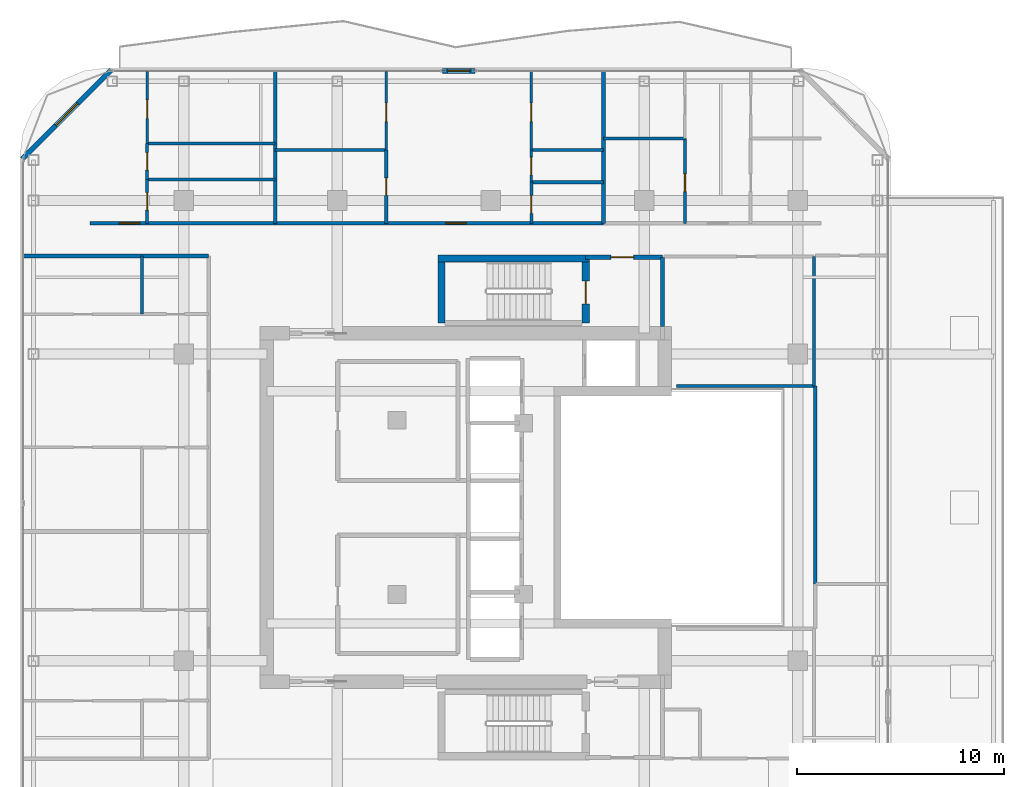
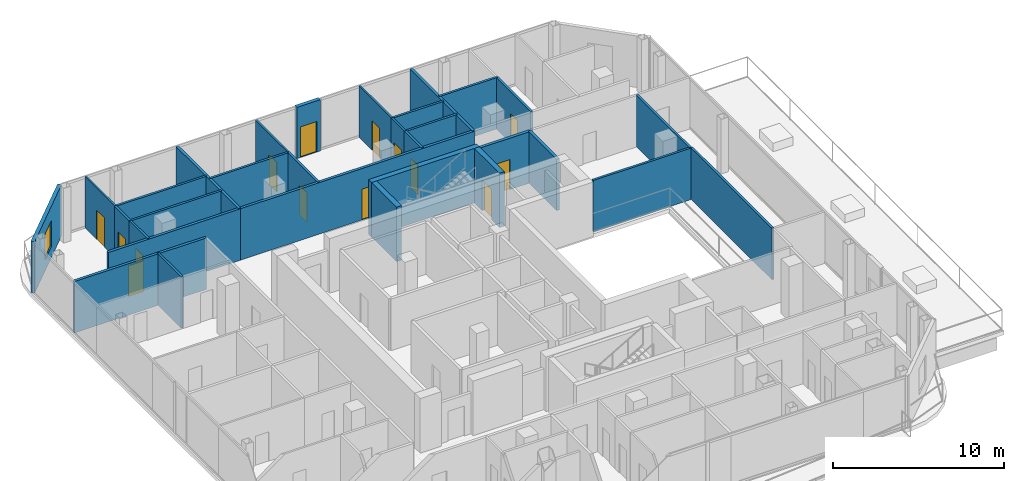
# One storey, part 20 of 24: 31 walls, 14 doors, 1 window, 15 openings.
"""IFC4 building model written with IfcOpenShell, lengths in metres."""

from ifc_helpers import new_model, si_unit, direction, frame, frame_2d, origin, place, context, subcontext, project, spatial, rectangle, extrude, material, layer, layer_set, type_object, element, fill, save


model = new_model("IFC4")

# Units and contexts
model_context = context("Model", 3, precision=1e-05, world=origin(), true_north=direction((0.0, 1.0)))
body_context = subcontext(model_context, "Body", "Model", "MODEL_VIEW")
ifc_project = project(units=[si_unit("LENGTHUNIT", "METRE"), si_unit("AREAUNIT", "SQUARE_METRE"), si_unit("VOLUMEUNIT", "CUBIC_METRE"), si_unit("PLANEANGLEUNIT", "RADIAN"), si_unit("MASSUNIT", "GRAM", prefix="KILO")], contexts=[model_context])

# Site, building, storey
site_placement = place(None, origin())
site = spatial("IfcSite", under=ifc_project, at=site_placement, CompositionType="ELEMENT")
building_placement = place(site_placement, origin())
building = spatial("IfcBuilding", under=site, at=building_placement, Name="Khorvyn Point Tower", CompositionType="ELEMENT")
storey_placement = place(building_placement, frame((0.0, 0.0, 285.89990234375)))
storey = spatial("IfcBuildingStorey", under=building, at=storey_placement, Name="L70", CompositionType="ELEMENT", Elevation=285.89990234375)

# Wall, opening, door
ifc_material_1 = material(Name="Double acoustic gypsum on twin steel stud", Category="steel")
ifc_layer_1 = layer(ifc_material_1, 0.179931640625)
ifc_layer_set_1 = layer_set([ifc_layer_1], Name="Acoustic Double-Stud Apartment Demising Wall 180")
wall_type_1 = type_object("IfcWallType", Name="Acoustic Double-Stud Apartment Demising Wall 180", PredefinedType="PARTITIONING", material=ifc_layer_set_1)
wall_1_placement = place(storey_placement, frame((-19.320068359375, 13.699951171875, 0.0), z_axis=(0.0, 0.0, 1.0), x_axis=(1.0, 0.0, 0.0)))
wall_1 = element("IfcWall", 1, at=wall_1_placement, inside=storey, type_object=wall_type_1, Name="Wall", PredefinedType="PARTITIONING", context=body_context, shape_type="SweptSolid", body=[
    extrude(rectangle(XDim=8.927001953125, YDim=0.179931640625, at=frame_2d((4.46337890625, 0.0))), origin(), (0.0, 0.0, 1.0), 3.68017578125),
])
opening_1_placement = place(wall_1_placement, frame((1.398193359375, 0.0, 0.0)))
opening_1 = element("IfcOpeningElement", 2, at=opening_1_placement, cuts=wall_1, Name="Opening ID-AP60", PredefinedType="OPENING", context=body_context, shape_type="SweptSolid", body=[
    extrude(rectangle(XDim=1.0, YDim=2.199951171875, at=frame_2d((0.5, 1.10009765625))), frame((0.0, 0.099853515625, 0.0), z_axis=(0.0, -1.0, 0.0), x_axis=(1.0, 0.0, 0.0)), (0.0, 0.0, 1.0), 0.199951171875),
])
ifc_material_2 = material(Name="Engineered hardwood fire-rated leaf", Category="wood")
door_type_1 = type_object("IfcDoorType", Name="Acoustic Solid-Core Timber Apartment Entrance Door 1000x2200", OperationType="NOTDEFINED", PredefinedType="DOOR", material=ifc_material_2)
door_1_placement = place(opening_1_placement, origin())
door_1 = element("IfcDoor", 3, at=door_1_placement, inside=storey, type_object=door_type_1, Name="Door", OperationType="SINGLE_SWING_LEFT", OverallHeight=2.199951171875, OverallWidth=1.0, PredefinedType="DOOR", context=body_context, shape_type="SweptSolid", body=[
    extrude(rectangle(XDim=1.0, YDim=2.199951171875, at=frame_2d((0.5, 1.10009765625))), frame((0.0, 0.02490234375, 0.0), z_axis=(0.0, -1.0, 0.0), x_axis=(1.0, 0.0, 0.0)), (0.0, 0.0, 1.0), 0.050048828125),
])
fill(opening_1, door_1)

wall_2_placement = place(storey_placement, frame((-10.39306640625, 13.699951171875, 0.0), z_axis=(0.0, 0.0, 1.0), x_axis=(1.0, 0.0, 0.0)))
wall_2 = element("IfcWall", 4, at=wall_2_placement, inside=storey, type_object=wall_type_1, Name="Wall", PredefinedType="PARTITIONING", context=body_context, shape_type="SweptSolid", body=[
    extrude(rectangle(XDim=15.8349609375, YDim=0.179931640625, at=frame_2d((7.91748046875, 0.0))), origin(), (0.0, 0.0, 1.0), 3.68017578125),
])
opening_2_placement = place(wall_2_placement, frame((8.223876953125, 0.0, 0.0)))
opening_2 = element("IfcOpeningElement", 5, at=opening_2_placement, cuts=wall_2, Name="Opening ID-AP60", PredefinedType="OPENING", context=body_context, shape_type="SweptSolid", body=[
    extrude(rectangle(XDim=1.0, YDim=2.199951171875, at=frame_2d((0.5, 1.10009765625))), frame((0.0, 0.099853515625, 0.0), z_axis=(0.0, -1.0, 0.0), x_axis=(1.0, 0.0, 0.0)), (0.0, 0.0, 1.0), 0.199951171875),
])
door_2_placement = place(opening_2_placement, origin())
door_2 = element("IfcDoor", 6, at=door_2_placement, inside=storey, type_object=door_type_1, Name="Door", OperationType="SINGLE_SWING_LEFT", OverallHeight=2.199951171875, OverallWidth=1.0, PredefinedType="DOOR", context=body_context, shape_type="SweptSolid", body=[
    extrude(rectangle(XDim=1.0, YDim=2.199951171875, at=frame_2d((0.5, 1.10009765625))), frame((0.0, 0.02490234375, 0.0), z_axis=(0.0, -1.0, 0.0), x_axis=(1.0, 0.0, 0.0)), (0.0, 0.0, 1.0), 0.050048828125),
])
fill(opening_2, door_2)

# Walls
for number, where, z_axis, x_axis, name in (
    (7, (-10.39306640625, 13.699951171875, 0.0), (0.0, 0.0, 1.0), (0.0, 1.0, 0.0), "Wall"),
    (8, (5.44189453125, 13.699951171875, 0.0), (0.0, 0.0, 1.0), (0.0, 1.0, 0.0), "Wall"),
):
    element("IfcWall", number, at=place(storey_placement, frame(where, z_axis=z_axis, x_axis=x_axis)), inside=storey, type_object=wall_type_1, Name=name, PredefinedType="PARTITIONING", context=body_context, shape_type="SweptSolid", body=[
        extrude(rectangle(XDim=7.330078125, YDim=0.179931640625, at=frame_2d((3.6650390625, 0.0))), origin(), (0.0, 0.0, 1.0), 3.68017578125),
    ])
wall_3_placement = place(storey_placement, frame((-22.530029296875, 12.1201171875, 0.0), z_axis=(0.0, 0.0, 1.0), x_axis=(1.0, 0.0, 0.0)))
element("IfcWall", 9, at=wall_3_placement, inside=storey, type_object=wall_type_1, Name="Wall", PredefinedType="PARTITIONING", context=body_context, shape_type="SweptSolid", body=[
    extrude(rectangle(XDim=8.929931640625, YDim=0.179931640625, at=frame_2d((4.46484375, 0.0))), origin(), (0.0, 0.0, 1.0), 3.68017578125),
])

# Wall, opening, door
ifc_material_3 = material(Name="Pale anodised aluminium rainscreen on steel stud", Category="steel")
ifc_layer_2 = layer(ifc_material_3, 0.239990234375)
ifc_layer_set_2 = layer_set([ifc_layer_2], Name="Anodised Aluminium Insulated Corner Spandrel Wall 240")
wall_type_2 = type_object("IfcWallType", Name="Anodised Aluminium Insulated Corner Spandrel Wall 240", PredefinedType="SOLIDWALL", material=ifc_layer_set_2)
wall_4_placement = place(storey_placement, frame((-2.330078125, 21.050048828125, 0.0), z_axis=(0.0, 0.0, 1.0), x_axis=(1.0, 0.0, 0.0)))
wall_4 = element("IfcWall", 10, at=wall_4_placement, inside=storey, type_object=wall_type_2, Name="L70 North Outdoor Threshold Wall", PredefinedType="SOLIDWALL", context=body_context, shape_type="SweptSolid", body=[
    extrude(rectangle(XDim=1.580078125, YDim=0.239990234375, at=frame_2d((0.7900390625, 0.0))), origin(), (0.0, 0.0, 1.0), 3.68017578125),
])
opening_3_placement = place(wall_4_placement, frame((0.239990234375, 0.0, 0.0)))
opening_3 = element("IfcOpeningElement", 11, at=opening_3_placement, cuts=wall_4, Name="Opening BD-1122", PredefinedType="OPENING", context=body_context, shape_type="SweptSolid", body=[
    extrude(rectangle(XDim=1.10009765625, YDim=2.199951171875, at=frame_2d((0.550048828125, 1.10009765625))), frame((0.0, 0.1298828125, 0.0), z_axis=(0.0, -1.0, 0.0), x_axis=(1.0, 0.0, 0.0)), (0.0, 0.0, 1.0), 0.260009765625),
])
ifc_material_4 = material(Name="Anodised aluminium 6063-T6 and laminated Low-E glass", Category="aluminium")
door_type_2 = type_object("IfcDoorType", Name="Glazed Balcony and Terrace Threshold Door 1100x2200", OperationType="NOTDEFINED", PredefinedType="DOOR", material=ifc_material_4)
door_3_placement = place(opening_3_placement, origin())
door_3 = element("IfcDoor", 12, at=door_3_placement, inside=storey, type_object=door_type_2, Name="L70 North Glazed Balcony Outdoor Door", OperationType="SINGLE_SWING_LEFT", OverallHeight=2.199951171875, OverallWidth=1.10009765625, PredefinedType="DOOR", context=body_context, shape_type="SweptSolid", body=[
    extrude(rectangle(XDim=1.10009765625, YDim=2.199951171875, at=frame_2d((0.550048828125, 1.10009765625))), frame((0.0, 0.02490234375, 0.0), z_axis=(0.0, -1.0, 0.0), x_axis=(1.0, 0.0, 0.0)), (0.0, 0.0, 1.0), 0.050048828125),
])
fill(opening_3, door_3)

# Wall, opening, window
wall_5_placement = place(storey_placement, frame((-22.59228515625, 16.8076171875, 0.0), z_axis=(0.0, 0.0, 1.0), x_axis=(0.707106781187, 0.707106781187, 0.0)))
wall_5 = element("IfcWall", 13, at=wall_5_placement, inside=storey, type_object=wall_type_2, Name="L70 Rounded Corner Wall NW", PredefinedType="SOLIDWALL", context=body_context, shape_type="SweptSolid", body=[
    extrude(rectangle(XDim=6.059326171875, YDim=0.239990234375, at=frame_2d((3.02978515625, 0.0))), origin(), (0.0, 0.0, 1.0), 3.68017578125),
])
opening_4_placement = place(wall_5_placement, frame((2.27978515625, 0.0, 0.800048828125)))
opening_4 = element("IfcOpeningElement", 14, at=opening_4_placement, cuts=wall_5, Name="Opening WN-1518", PredefinedType="OPENING", context=body_context, shape_type="SweptSolid", body=[
    extrude(rectangle(XDim=1.5, YDim=1.85009765625, at=frame_2d((0.75, 0.925048828125))), frame((0.0, 0.1298828125, 0.0), z_axis=(0.0, -1.0, 0.0), x_axis=(1.0, 0.0, 0.0)), (0.0, 0.0, 1.0), 0.260009765625),
])
window_type = type_object("IfcWindowType", Name="Anodised Aluminium Rounded-Corner Panoramic Window 1500x1850", PartitioningType="SINGLE_PANEL", PredefinedType="WINDOW", material=ifc_material_4)
window_placement = place(opening_4_placement, origin())
window = element("IfcWindow", 15, at=window_placement, inside=storey, type_object=window_type, Name="L70 Corner Panoramic Window NW", OverallHeight=1.85009765625, OverallWidth=1.5, PartitioningType="SINGLE_PANEL", PredefinedType="WINDOW", context=body_context, shape_type="SweptSolid", body=[
    extrude(rectangle(XDim=1.5, YDim=1.85009765625, at=frame_2d((0.75, 0.925048828125))), frame((0.0, 0.030029296875, 0.0), z_axis=(0.0, -1.0, 0.0), x_axis=(1.0, 0.0, 0.0)), (0.0, 0.0, 1.0), 0.06005859375),
])
fill(opening_4, window)

# Wall, opening, door
ifc_material_5 = material(Name="Concrete C40/50", Category="concrete")
ifc_layer_3 = layer(ifc_material_5, 0.199951171875)
ifc_layer_set_3 = layer_set([ifc_layer_3], Name="Concrete C40/50 Fire-Lobby Compartment Wall 200")
wall_type_3 = type_object("IfcWallType", Name="Concrete C40/50 Fire-Lobby Compartment Wall 200", PredefinedType="SOLIDWALL", material=ifc_layer_set_3)
wall_6_placement = place(storey_placement, frame((4.580078125, 12.06005859375, 0.0), z_axis=(0.0, 0.0, 1.0), x_axis=(1.0, 0.0, 0.0)))
wall_6 = element("IfcWall", 16, at=wall_6_placement, inside=storey, type_object=wall_type_3, Name="Wall", PredefinedType="SOLIDWALL", context=body_context, shape_type="SweptSolid", body=[
    extrude(rectangle(XDim=3.699951171875, YDim=0.199951171875, at=frame_2d((1.85009765625, 0.0))), origin(), (0.0, 0.0, 1.0), 3.68017578125),
])
opening_5_placement = place(wall_6_placement, frame((1.21240234375, 0.0, 0.0)))
opening_5 = element("IfcOpeningElement", 17, at=opening_5_placement, cuts=wall_6, Name="Opening ID-FL90", PredefinedType="OPENING", context=body_context, shape_type="SweptSolid", body=[
    extrude(rectangle(XDim=1.10009765625, YDim=2.14990234375, at=frame_2d((0.550048828125, 1.074951171875))), frame((0.0, 0.10986328125, 0.0), z_axis=(0.0, -1.0, 0.0), x_axis=(1.0, 0.0, 0.0)), (0.0, 0.0, 1.0), 0.219970703125),
])
ifc_material_6 = material(Name="Galvanised powder-coated steel", Category="steel")
door_type_3 = type_object("IfcDoorType", Name="Fire-Rated Steel Lobby and Stair Door 1100x2150", OperationType="NOTDEFINED", PredefinedType="DOOR", material=ifc_material_6)
door_4_placement = place(opening_5_placement, origin())
door_4 = element("IfcDoor", 18, at=door_4_placement, inside=storey, type_object=door_type_3, Name="Door", OperationType="SINGLE_SWING_LEFT", OverallHeight=2.14990234375, OverallWidth=1.10009765625, PredefinedType="DOOR", context=body_context, shape_type="SweptSolid", body=[
    extrude(rectangle(XDim=1.10009765625, YDim=2.14990234375, at=frame_2d((0.550048828125, 1.074951171875))), frame((0.0, 0.02490234375, 0.0), z_axis=(0.0, -1.0, 0.0), x_axis=(1.0, 0.0, 0.0)), (0.0, 0.0, 1.0), 0.050048828125),
])
fill(opening_5, door_4)

# Walls
wall_7_placement = place(storey_placement, frame((8.280029296875, 8.72509765625, 0.0), z_axis=(0.0, 0.0, 1.0), x_axis=(0.0, 1.0, 0.0)))
element("IfcWall", 19, at=wall_7_placement, inside=storey, type_object=wall_type_3, Name="Wall", PredefinedType="SOLIDWALL", context=body_context, shape_type="SweptSolid", body=[
    extrude(rectangle(XDim=3.3349609375, YDim=0.199951171875, at=frame_2d((1.66748046875, 0.0))), origin(), (0.0, 0.0, 1.0), 3.68017578125),
])
ifc_layer_4 = layer(ifc_material_5, 0.35009765625)
ifc_layer_set_4 = layer_set([ifc_layer_4], Name="Concrete C40/50 Stair Shaft Structural Wall 350")
wall_type_4 = type_object("IfcWallType", Name="Concrete C40/50 Stair Shaft Structural Wall 350", PredefinedType="SHEAR", material=ifc_layer_set_4)
wall_8_placement = place(storey_placement, frame((-2.554931640625, 12.0, 0.0), z_axis=(0.0, 0.0, 1.0), x_axis=(1.0, 0.0, 0.0)))
element("IfcWall", 20, at=wall_8_placement, inside=storey, type_object=wall_type_4, Name="L70 ST-02 North Shaft Wall", PredefinedType="SHEAR", context=body_context, shape_type="SweptSolid", body=[
    extrude(rectangle(XDim=7.309814453125, YDim=0.35009765625, at=frame_2d((3.65478515625, 0.0))), origin(), (0.0, 0.0, 1.0), 3.900146484375),
])
wall_9_placement = place(storey_placement, frame((-2.3798828125, 8.89990234375, 0.0), z_axis=(0.0, 0.0, 1.0), x_axis=(0.0, 1.0, 0.0)))
element("IfcWall", 21, at=wall_9_placement, inside=storey, type_object=wall_type_4, Name="L70 ST-02 West Shaft Wall", PredefinedType="SHEAR", context=body_context, shape_type="SweptSolid", body=[
    extrude(rectangle(XDim=2.925048828125, YDim=0.35009765625, at=frame_2d((1.46240234375, 0.0))), origin(), (0.0, 0.0, 1.0), 3.900146484375),
])

# Wall, opening, door
wall_10_placement = place(storey_placement, frame((4.580078125, 11.824951171875, 0.0), z_axis=(0.0, 0.0, 1.0), x_axis=(0.0, -1.0, 0.0)))
wall_10 = element("IfcWall", 22, at=wall_10_placement, inside=storey, type_object=wall_type_4, Name="L70 ST-02 East Landing Door Wall", PredefinedType="SHEAR", context=body_context, shape_type="SweptSolid", body=[
    extrude(rectangle(XDim=2.925048828125, YDim=0.35009765625, at=frame_2d((1.46240234375, 0.0))), origin(), (0.0, 0.0, 1.0), 3.900146484375),
])
opening_6_placement = place(wall_10_placement, frame((0.91259765625, 0.0, 0.0)))
opening_6 = element("IfcOpeningElement", 23, at=opening_6_placement, cuts=wall_10, Name="Opening ID-FL90", PredefinedType="OPENING", context=body_context, shape_type="SweptSolid", body=[
    extrude(rectangle(XDim=1.10009765625, YDim=2.14990234375, at=frame_2d((0.550048828125, 1.074951171875))), frame((0.0, 0.18505859375, 0.0), z_axis=(0.0, -1.0, 0.0), x_axis=(1.0, 0.0, 0.0)), (0.0, 0.0, 1.0), 0.3701171875),
])
door_5_placement = place(opening_6_placement, origin())
door_5 = element("IfcDoor", 24, at=door_5_placement, inside=storey, type_object=door_type_3, Name="L70 ST-02 Smokeproof Landing Door", OperationType="SINGLE_SWING_LEFT", OverallHeight=2.14990234375, OverallWidth=1.10009765625, PredefinedType="DOOR", context=body_context, shape_type="SweptSolid", body=[
    extrude(rectangle(XDim=1.10009765625, YDim=2.14990234375, at=frame_2d((0.550048828125, 1.074951171875))), frame((0.0, 0.02490234375, 0.0), z_axis=(0.0, -1.0, 0.0), x_axis=(1.0, 0.0, 0.0)), (0.0, 0.0, 1.0), 0.050048828125),
])
fill(opening_6, door_5)

ifc_material_7 = material(Name="Gypsum plasterboard on steel stud", Category="steel")
ifc_layer_5 = layer(ifc_material_7, 0.1201171875)
ifc_layer_set_5 = layer_set([ifc_layer_5], Name="Gypsum Acoustic Stud Room Partition Wall 120")
wall_type_5 = type_object("IfcWallType", Name="Gypsum Acoustic Stud Room Partition Wall 120", PredefinedType="PARTITIONING", material=ifc_layer_set_5)
wall_11_placement = place(storey_placement, frame((-16.570068359375, 17.553955078125, 0.0), z_axis=(0.0, 0.0, 1.0), x_axis=(0.0, 1.0, 0.0)))
wall_11 = element("IfcWall", 25, at=wall_11_placement, inside=storey, type_object=wall_type_5, Name="Wall", PredefinedType="PARTITIONING", context=body_context, shape_type="SweptSolid", body=[
    extrude(rectangle(XDim=3.47607421875, YDim=0.1201171875, at=frame_2d((1.738037109375, 0.0))), origin(), (0.0, 0.0, 1.0), 3.68017578125),
])
opening_7_placement = place(wall_11_placement, frame((1.201171875, 0.0, 0.0)))
opening_7 = element("IfcOpeningElement", 26, at=opening_7_placement, cuts=wall_11, Name="Opening ID-RM90", PredefinedType="OPENING", context=body_context, shape_type="SweptSolid", body=[
    extrude(rectangle(XDim=0.89990234375, YDim=2.10009765625, at=frame_2d((0.449951171875, 1.050048828125))), frame((0.0, 0.070068359375, 0.0), z_axis=(0.0, -1.0, 0.0), x_axis=(1.0, 0.0, 0.0)), (0.0, 0.0, 1.0), 0.14013671875),
])
ifc_material_8 = material(Name="Engineered oak veneer timber", Category="wood")
door_type_4 = type_object("IfcDoorType", Name="Flush Engineered Timber Room Door 900x2100", OperationType="NOTDEFINED", PredefinedType="DOOR", material=ifc_material_8)
door_6_placement = place(opening_7_placement, origin())
door_6 = element("IfcDoor", 27, at=door_6_placement, inside=storey, type_object=door_type_4, Name="Door", OperationType="SINGLE_SWING_RIGHT", OverallHeight=2.10009765625, OverallWidth=0.89990234375, PredefinedType="DOOR", context=body_context, shape_type="SweptSolid", body=[
    extrude(rectangle(XDim=0.89990234375, YDim=2.10009765625, at=frame_2d((0.449951171875, 1.050048828125))), frame((0.0, 0.02490234375, 0.0), z_axis=(0.0, -1.0, 0.0), x_axis=(1.0, 0.0, 0.0)), (0.0, 0.0, 1.0), 0.050048828125),
])
fill(opening_7, door_6)

wall_12_placement = place(storey_placement, frame((-5.041015625, 17.238037109375, 0.0), z_axis=(0.0, 0.0, 1.0), x_axis=(0.0, 1.0, 0.0)))
wall_12 = element("IfcWall", 28, at=wall_12_placement, inside=storey, type_object=wall_type_5, Name="Wall", PredefinedType="PARTITIONING", context=body_context, shape_type="SweptSolid", body=[
    extrude(rectangle(XDim=3.7919921875, YDim=0.1201171875, at=frame_2d((1.89599609375, 0.0))), origin(), (0.0, 0.0, 1.0), 3.68017578125),
])
opening_8_placement = place(wall_12_placement, frame((1.3603515625, 0.0, 0.0)))
opening_8 = element("IfcOpeningElement", 29, at=opening_8_placement, cuts=wall_12, Name="Opening ID-RM90", PredefinedType="OPENING", context=body_context, shape_type="SweptSolid", body=[
    extrude(rectangle(XDim=0.89990234375, YDim=2.10009765625, at=frame_2d((0.449951171875, 1.050048828125))), frame((0.0, 0.070068359375, 0.0), z_axis=(0.0, -1.0, 0.0), x_axis=(1.0, 0.0, 0.0)), (0.0, 0.0, 1.0), 0.14013671875),
])
door_7_placement = place(opening_8_placement, origin())
door_7 = element("IfcDoor", 30, at=door_7_placement, inside=storey, type_object=door_type_4, Name="Door", OperationType="SINGLE_SWING_LEFT", OverallHeight=2.10009765625, OverallWidth=0.89990234375, PredefinedType="DOOR", context=body_context, shape_type="SweptSolid", body=[
    extrude(rectangle(XDim=0.89990234375, YDim=2.10009765625, at=frame_2d((0.449951171875, 1.050048828125))), frame((0.0, 0.02490234375, 0.0), z_axis=(0.0, -1.0, 0.0), x_axis=(1.0, 0.0, 0.0)), (0.0, 0.0, 1.0), 0.050048828125),
])
fill(opening_8, door_7)

wall_13_placement = place(storey_placement, frame((1.9599609375, 15.680908203125, 0.0), z_axis=(0.0, 0.0, 1.0), x_axis=(0.0, 1.0, 0.0)))
wall_13 = element("IfcWall", 31, at=wall_13_placement, inside=storey, type_object=wall_type_5, Name="Wall", PredefinedType="PARTITIONING", context=body_context, shape_type="SweptSolid", body=[
    extrude(rectangle(XDim=1.55712890625, YDim=0.1201171875, at=frame_2d((0.778564453125, 0.0))), origin(), (0.0, 0.0, 1.0), 3.68017578125),
])
opening_9_placement = place(wall_13_placement, frame((0.353515625, 0.0, 0.0)))
opening_9 = element("IfcOpeningElement", 32, at=opening_9_placement, cuts=wall_13, Name="Opening ID-WC85", PredefinedType="OPENING", context=body_context, shape_type="SweptSolid", body=[
    extrude(rectangle(XDim=0.85009765625, YDim=2.10009765625, at=frame_2d((0.425048828125, 1.050048828125))), frame((0.0, 0.070068359375, 0.0), z_axis=(0.0, -1.0, 0.0), x_axis=(1.0, 0.0, 0.0)), (0.0, 0.0, 1.0), 0.14013671875),
])
ifc_material_9 = material(Name="High-pressure laminate on moisture-resistant core", Category="wood")
door_type_5 = type_object("IfcDoorType", Name="Moisture-Resistant Accessible Washroom Door 850x2100", OperationType="NOTDEFINED", PredefinedType="DOOR", material=ifc_material_9)
door_8_placement = place(opening_9_placement, origin())
door_8 = element("IfcDoor", 33, at=door_8_placement, inside=storey, type_object=door_type_5, Name="Door", OperationType="SINGLE_SWING_LEFT", OverallHeight=2.10009765625, OverallWidth=0.85009765625, PredefinedType="DOOR", context=body_context, shape_type="SweptSolid", body=[
    extrude(rectangle(XDim=0.85009765625, YDim=2.10009765625, at=frame_2d((0.425048828125, 1.050048828125))), frame((0.0, 0.02490234375, 0.0), z_axis=(0.0, -1.0, 0.0), x_axis=(1.0, 0.0, 0.0)), (0.0, 0.0, 1.0), 0.050048828125),
])
fill(opening_9, door_8)

wall_14_placement = place(storey_placement, frame((1.9599609375, 17.238037109375, 0.0), z_axis=(0.0, 0.0, 1.0), x_axis=(0.0, 1.0, 0.0)))
wall_14 = element("IfcWall", 34, at=wall_14_placement, inside=storey, type_object=wall_type_5, Name="Wall", PredefinedType="PARTITIONING", context=body_context, shape_type="SweptSolid", body=[
    extrude(rectangle(XDim=3.7919921875, YDim=0.1201171875, at=frame_2d((1.89599609375, 0.0))), origin(), (0.0, 0.0, 1.0), 3.68017578125),
])
opening_10_placement = place(wall_14_placement, frame((1.3603515625, 0.0, 0.0)))
opening_10 = element("IfcOpeningElement", 35, at=opening_10_placement, cuts=wall_14, Name="Opening ID-RM90", PredefinedType="OPENING", context=body_context, shape_type="SweptSolid", body=[
    extrude(rectangle(XDim=0.89990234375, YDim=2.10009765625, at=frame_2d((0.449951171875, 1.050048828125))), frame((0.0, 0.070068359375, 0.0), z_axis=(0.0, -1.0, 0.0), x_axis=(1.0, 0.0, 0.0)), (0.0, 0.0, 1.0), 0.14013671875),
])
door_9_placement = place(opening_10_placement, origin())
door_9 = element("IfcDoor", 36, at=door_9_placement, inside=storey, type_object=door_type_4, Name="Door", OperationType="SINGLE_SWING_RIGHT", OverallHeight=2.10009765625, OverallWidth=0.89990234375, PredefinedType="DOOR", context=body_context, shape_type="SweptSolid", body=[
    extrude(rectangle(XDim=0.89990234375, YDim=2.10009765625, at=frame_2d((0.449951171875, 1.050048828125))), frame((0.0, 0.02490234375, 0.0), z_axis=(0.0, -1.0, 0.0), x_axis=(1.0, 0.0, 0.0)), (0.0, 0.0, 1.0), 0.050048828125),
])
fill(opening_10, door_9)

ifc_material_10 = material(Name="Moisture-resistant gypsum and cement board", Category="gypsum")
ifc_layer_6 = layer(ifc_material_10, 0.14990234375)
ifc_layer_set_6 = layer_set([ifc_layer_6], Name="Moisture-Resistant Wet-Room Partition Wall 150")
wall_type_6 = type_object("IfcWallType", Name="Moisture-Resistant Wet-Room Partition Wall 150", PredefinedType="PARTITIONING", material=ifc_layer_set_6)
wall_15_placement = place(storey_placement, frame((-16.570068359375, 13.699951171875, 0.0), z_axis=(0.0, 0.0, 1.0), x_axis=(0.0, 1.0, 0.0)))
wall_15 = element("IfcWall", 37, at=wall_15_placement, inside=storey, type_object=wall_type_6, Name="Wall", PredefinedType="PARTITIONING", context=body_context, shape_type="SweptSolid", body=[
    extrude(rectangle(XDim=2.1201171875, YDim=0.14990234375, at=frame_2d((1.06005859375, 0.0))), origin(), (0.0, 0.0, 1.0), 3.68017578125),
])
opening_11_placement = place(wall_15_placement, frame((0.635009765625, 0.0, 0.0)))
opening_11 = element("IfcOpeningElement", 38, at=opening_11_placement, cuts=wall_15, Name="Opening ID-WC85", PredefinedType="OPENING", context=body_context, shape_type="SweptSolid", body=[
    extrude(rectangle(XDim=0.85009765625, YDim=2.10009765625, at=frame_2d((0.425048828125, 1.050048828125))), frame((0.0, 0.0849609375, 0.0), z_axis=(0.0, -1.0, 0.0), x_axis=(1.0, 0.0, 0.0)), (0.0, 0.0, 1.0), 0.169921875),
])
door_10_placement = place(opening_11_placement, origin())
door_10 = element("IfcDoor", 39, at=door_10_placement, inside=storey, type_object=door_type_5, Name="Door", OperationType="SINGLE_SWING_RIGHT", OverallHeight=2.10009765625, OverallWidth=0.85009765625, PredefinedType="DOOR", context=body_context, shape_type="SweptSolid", body=[
    extrude(rectangle(XDim=0.85009765625, YDim=2.10009765625, at=frame_2d((0.425048828125, 1.050048828125))), frame((0.0, 0.02490234375, 0.0), z_axis=(0.0, -1.0, 0.0), x_axis=(1.0, 0.0, 0.0)), (0.0, 0.0, 1.0), 0.050048828125),
])
fill(opening_11, door_10)

wall_16_placement = place(storey_placement, frame((-16.570068359375, 15.820068359375, 0.0), z_axis=(0.0, 0.0, 1.0), x_axis=(0.0, 1.0, 0.0)))
wall_16 = element("IfcWall", 40, at=wall_16_placement, inside=storey, type_object=wall_type_6, Name="Wall", PredefinedType="PARTITIONING", context=body_context, shape_type="SweptSolid", body=[
    extrude(rectangle(XDim=1.73388671875, YDim=0.14990234375, at=frame_2d((0.866943359375, 0.0))), origin(), (0.0, 0.0, 1.0), 3.68017578125),
])
opening_12_placement = place(wall_16_placement, frame((0.44189453125, 0.0, 0.0)))
opening_12 = element("IfcOpeningElement", 41, at=opening_12_placement, cuts=wall_16, Name="Opening ID-WC85", PredefinedType="OPENING", context=body_context, shape_type="SweptSolid", body=[
    extrude(rectangle(XDim=0.85009765625, YDim=2.10009765625, at=frame_2d((0.425048828125, 1.050048828125))), frame((0.0, 0.0849609375, 0.0), z_axis=(0.0, -1.0, 0.0), x_axis=(1.0, 0.0, 0.0)), (0.0, 0.0, 1.0), 0.169921875),
])
door_11_placement = place(opening_12_placement, origin())
door_11 = element("IfcDoor", 42, at=door_11_placement, inside=storey, type_object=door_type_5, Name="Door", OperationType="SINGLE_SWING_LEFT", OverallHeight=2.10009765625, OverallWidth=0.85009765625, PredefinedType="DOOR", context=body_context, shape_type="SweptSolid", body=[
    extrude(rectangle(XDim=0.85009765625, YDim=2.10009765625, at=frame_2d((0.425048828125, 1.050048828125))), frame((0.0, 0.02490234375, 0.0), z_axis=(0.0, -1.0, 0.0), x_axis=(1.0, 0.0, 0.0)), (0.0, 0.0, 1.0), 0.050048828125),
])
fill(opening_12, door_11)

wall_17_placement = place(storey_placement, frame((-5.041015625, 13.699951171875, 0.0), z_axis=(0.0, 0.0, 1.0), x_axis=(0.0, 1.0, 0.0)))
wall_17 = element("IfcWall", 43, at=wall_17_placement, inside=storey, type_object=wall_type_6, Name="Wall", PredefinedType="PARTITIONING", context=body_context, shape_type="SweptSolid", body=[
    extrude(rectangle(XDim=3.5380859375, YDim=0.14990234375, at=frame_2d((1.76904296875, 0.0))), origin(), (0.0, 0.0, 1.0), 3.68017578125),
])
opening_13_placement = place(wall_17_placement, frame((1.343994140625, 0.0, 0.0)))
opening_13 = element("IfcOpeningElement", 44, at=opening_13_placement, cuts=wall_17, Name="Opening ID-WC85", PredefinedType="OPENING", context=body_context, shape_type="SweptSolid", body=[
    extrude(rectangle(XDim=0.85009765625, YDim=2.10009765625, at=frame_2d((0.425048828125, 1.050048828125))), frame((0.0, 0.0849609375, 0.0), z_axis=(0.0, -1.0, 0.0), x_axis=(1.0, 0.0, 0.0)), (0.0, 0.0, 1.0), 0.169921875),
])
door_12_placement = place(opening_13_placement, origin())
door_12 = element("IfcDoor", 45, at=door_12_placement, inside=storey, type_object=door_type_5, Name="Door", OperationType="SINGLE_SWING_RIGHT", OverallHeight=2.10009765625, OverallWidth=0.85009765625, PredefinedType="DOOR", context=body_context, shape_type="SweptSolid", body=[
    extrude(rectangle(XDim=0.85009765625, YDim=2.10009765625, at=frame_2d((0.425048828125, 1.050048828125))), frame((0.0, 0.02490234375, 0.0), z_axis=(0.0, -1.0, 0.0), x_axis=(1.0, 0.0, 0.0)), (0.0, 0.0, 1.0), 0.050048828125),
])
fill(opening_13, door_12)

wall_18_placement = place(storey_placement, frame((1.9599609375, 13.699951171875, 0.0), z_axis=(0.0, 0.0, 1.0), x_axis=(0.0, 1.0, 0.0)))
wall_18 = element("IfcWall", 46, at=wall_18_placement, inside=storey, type_object=wall_type_6, Name="Wall", PredefinedType="PARTITIONING", context=body_context, shape_type="SweptSolid", body=[
    extrude(rectangle(XDim=1.98095703125, YDim=0.14990234375, at=frame_2d((0.990478515625, 0.0))), origin(), (0.0, 0.0, 1.0), 3.68017578125),
])
opening_14_placement = place(wall_18_placement, frame((0.484375, 0.0, 0.0)))
opening_14 = element("IfcOpeningElement", 47, at=opening_14_placement, cuts=wall_18, Name="Opening ID-WC85", PredefinedType="OPENING", context=body_context, shape_type="SweptSolid", body=[
    extrude(rectangle(XDim=0.85009765625, YDim=2.10009765625, at=frame_2d((0.425048828125, 1.050048828125))), frame((0.0, 0.0849609375, 0.0), z_axis=(0.0, -1.0, 0.0), x_axis=(1.0, 0.0, 0.0)), (0.0, 0.0, 1.0), 0.169921875),
])
door_13_placement = place(opening_14_placement, origin())
door_13 = element("IfcDoor", 48, at=door_13_placement, inside=storey, type_object=door_type_5, Name="Door", OperationType="SINGLE_SWING_RIGHT", OverallHeight=2.10009765625, OverallWidth=0.85009765625, PredefinedType="DOOR", context=body_context, shape_type="SweptSolid", body=[
    extrude(rectangle(XDim=0.85009765625, YDim=2.10009765625, at=frame_2d((0.425048828125, 1.050048828125))), frame((0.0, 0.02490234375, 0.0), z_axis=(0.0, -1.0, 0.0), x_axis=(1.0, 0.0, 0.0)), (0.0, 0.0, 1.0), 0.050048828125),
])
fill(opening_14, door_13)

wall_19_placement = place(storey_placement, frame((9.366943359375, 13.699951171875, 0.0), z_axis=(0.0, 0.0, 1.0), x_axis=(0.0, 1.0, 0.0)))
wall_19 = element("IfcWall", 49, at=wall_19_placement, inside=storey, type_object=wall_type_6, Name="Wall", PredefinedType="PARTITIONING", context=body_context, shape_type="SweptSolid", body=[
    extrude(rectangle(XDim=4.0810546875, YDim=0.14990234375, at=frame_2d((2.04052734375, 0.0))), origin(), (0.0, 0.0, 1.0), 3.68017578125),
])
opening_15_placement = place(wall_19_placement, frame((1.52978515625, 0.0, 0.0)))
opening_15 = element("IfcOpeningElement", 50, at=opening_15_placement, cuts=wall_19, Name="Opening ID-WC85", PredefinedType="OPENING", context=body_context, shape_type="SweptSolid", body=[
    extrude(rectangle(XDim=0.85009765625, YDim=2.10009765625, at=frame_2d((0.425048828125, 1.050048828125))), frame((0.0, 0.0849609375, 0.0), z_axis=(0.0, -1.0, 0.0), x_axis=(1.0, 0.0, 0.0)), (0.0, 0.0, 1.0), 0.169921875),
])
door_14_placement = place(opening_15_placement, origin())
door_14 = element("IfcDoor", 51, at=door_14_placement, inside=storey, type_object=door_type_5, Name="Door", OperationType="SINGLE_SWING_RIGHT", OverallHeight=2.10009765625, OverallWidth=0.85009765625, PredefinedType="DOOR", context=body_context, shape_type="SweptSolid", body=[
    extrude(rectangle(XDim=0.85009765625, YDim=2.10009765625, at=frame_2d((0.425048828125, 1.050048828125))), frame((0.0, 0.02490234375, 0.0), z_axis=(0.0, -1.0, 0.0), x_axis=(1.0, 0.0, 0.0)), (0.0, 0.0, 1.0), 0.050048828125),
])
fill(opening_15, door_14)

# Walls
wall_20_placement = place(storey_placement, frame((15.580078125, 5.85009765625, 0.0), z_axis=(0.0, 0.0, 1.0), x_axis=(0.0, 1.0, 0.0)))
element("IfcWall", 52, at=wall_20_placement, inside=storey, type_object=wall_type_6, Name="Wall", PredefinedType="PARTITIONING", context=body_context, shape_type="SweptSolid", body=[
    extrude(rectangle(XDim=6.25, YDim=0.14990234375, at=frame_2d((3.125, 0.0))), origin(), (0.0, 0.0, 1.0), 3.68017578125),
])
wall_21_placement = place(storey_placement, frame((8.9599609375, 5.85009765625, 0.0), z_axis=(0.0, 0.0, 1.0), x_axis=(1.0, 0.0, 0.0)))
element("IfcWall", 53, at=wall_21_placement, inside=storey, type_object=wall_type_6, Name="Wall", PredefinedType="PARTITIONING", context=body_context, shape_type="SweptSolid", body=[
    extrude(rectangle(XDim=6.6201171875, YDim=0.14990234375, at=frame_2d((3.31005859375, 0.0))), origin(), (0.0, 0.0, 1.0), 3.68017578125),
])
for number, where, z_axis, x_axis, name in (
    (54, (-16.570068359375, 15.820068359375, 0.0), (0.0, 0.0, 1.0), (1.0, 0.0, 0.0), "Wall"),
    (55, (-16.570068359375, 17.553955078125, 0.0), (0.0, 0.0, 1.0), (1.0, 0.0, 0.0), "Wall"),
):
    element("IfcWall", number, at=place(storey_placement, frame(where, z_axis=z_axis, x_axis=x_axis)), inside=storey, type_object=wall_type_6, Name=name, PredefinedType="PARTITIONING", context=body_context, shape_type="SweptSolid", body=[
        extrude(rectangle(XDim=6.177001953125, YDim=0.14990234375, at=frame_2d((3.08837890625, 0.0))), origin(), (0.0, 0.0, 1.0), 3.68017578125),
    ])
wall_22_placement = place(storey_placement, frame((-10.39306640625, 17.238037109375, 0.0), z_axis=(0.0, 0.0, 1.0), x_axis=(1.0, 0.0, 0.0)))
element("IfcWall", 56, at=wall_22_placement, inside=storey, type_object=wall_type_6, Name="Wall", PredefinedType="PARTITIONING", context=body_context, shape_type="SweptSolid", body=[
    extrude(rectangle(XDim=5.35205078125, YDim=0.14990234375, at=frame_2d((2.676025390625, 0.0))), origin(), (0.0, 0.0, 1.0), 3.68017578125),
])
for number, where, z_axis, x_axis, name in (
    (57, (1.9599609375, 15.680908203125, 0.0), (0.0, 0.0, 1.0), (1.0, 0.0, 0.0), "Wall"),
    (58, (1.9599609375, 17.238037109375, 0.0), (0.0, 0.0, 1.0), (1.0, 0.0, 0.0), "Wall"),
):
    element("IfcWall", number, at=place(storey_placement, frame(where, z_axis=z_axis, x_axis=x_axis)), inside=storey, type_object=wall_type_6, Name=name, PredefinedType="PARTITIONING", context=body_context, shape_type="SweptSolid", body=[
        extrude(rectangle(XDim=3.48193359375, YDim=0.14990234375, at=frame_2d((1.740966796875, 0.0))), origin(), (0.0, 0.0, 1.0), 3.68017578125),
    ])
wall_23_placement = place(storey_placement, frame((5.44189453125, 17.781005859375, 0.0), z_axis=(0.0, 0.0, 1.0), x_axis=(1.0, 0.0, 0.0)))
element("IfcWall", 59, at=wall_23_placement, inside=storey, type_object=wall_type_6, Name="Wall", PredefinedType="PARTITIONING", context=body_context, shape_type="SweptSolid", body=[
    extrude(rectangle(XDim=3.925048828125, YDim=0.14990234375, at=frame_2d((1.96240234375, 0.0))), origin(), (0.0, 0.0, 1.0), 3.68017578125),
])
wall_24_placement = place(storey_placement, frame((-16.80908203125, 9.320068359375, 0.0), z_axis=(0.0, 0.0, 1.0), x_axis=(0.0, 1.0, 0.0)))
element("IfcWall", 60, at=wall_24_placement, inside=storey, type_object=wall_type_6, Name="Wall", PredefinedType="PARTITIONING", context=body_context, shape_type="SweptSolid", body=[
    extrude(rectangle(XDim=2.800048828125, YDim=0.14990234375, at=frame_2d((1.39990234375, 0.0))), origin(), (0.0, 0.0, 1.0), 3.68017578125),
])
wall_25_placement = place(storey_placement, frame((15.64990234375, -3.699951171875, 0.0), z_axis=(0.0, 0.0, 1.0), x_axis=(0.0, 1.0, 0.0)))
element("IfcWall", 61, at=wall_25_placement, inside=storey, type_object=wall_type_6, Name="Wall", PredefinedType="PARTITIONING", context=body_context, shape_type="SweptSolid", body=[
    extrude(rectangle(XDim=9.550048828125, YDim=0.14990234375, at=frame_2d((4.77490234375, 0.0))), origin(), (0.0, 0.0, 1.0), 3.68017578125),
])

save(model, "model.ifc")
